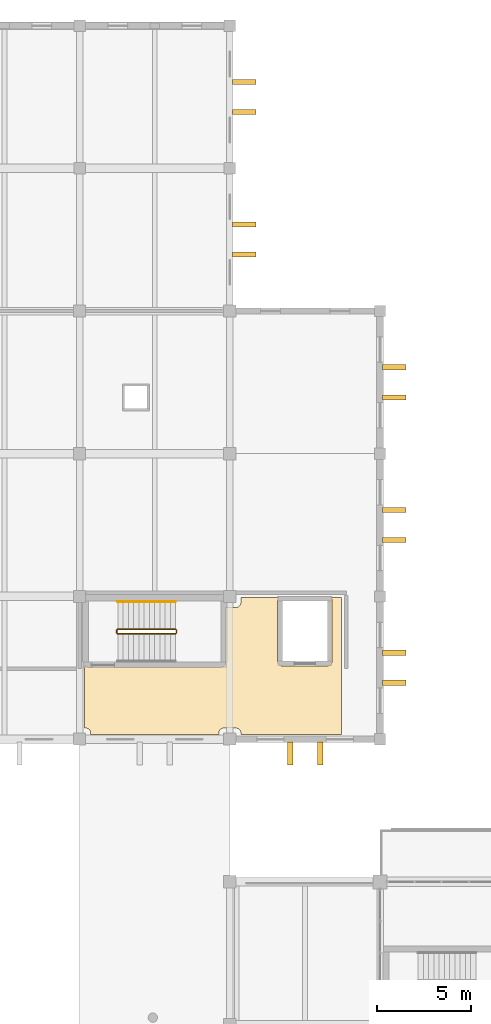
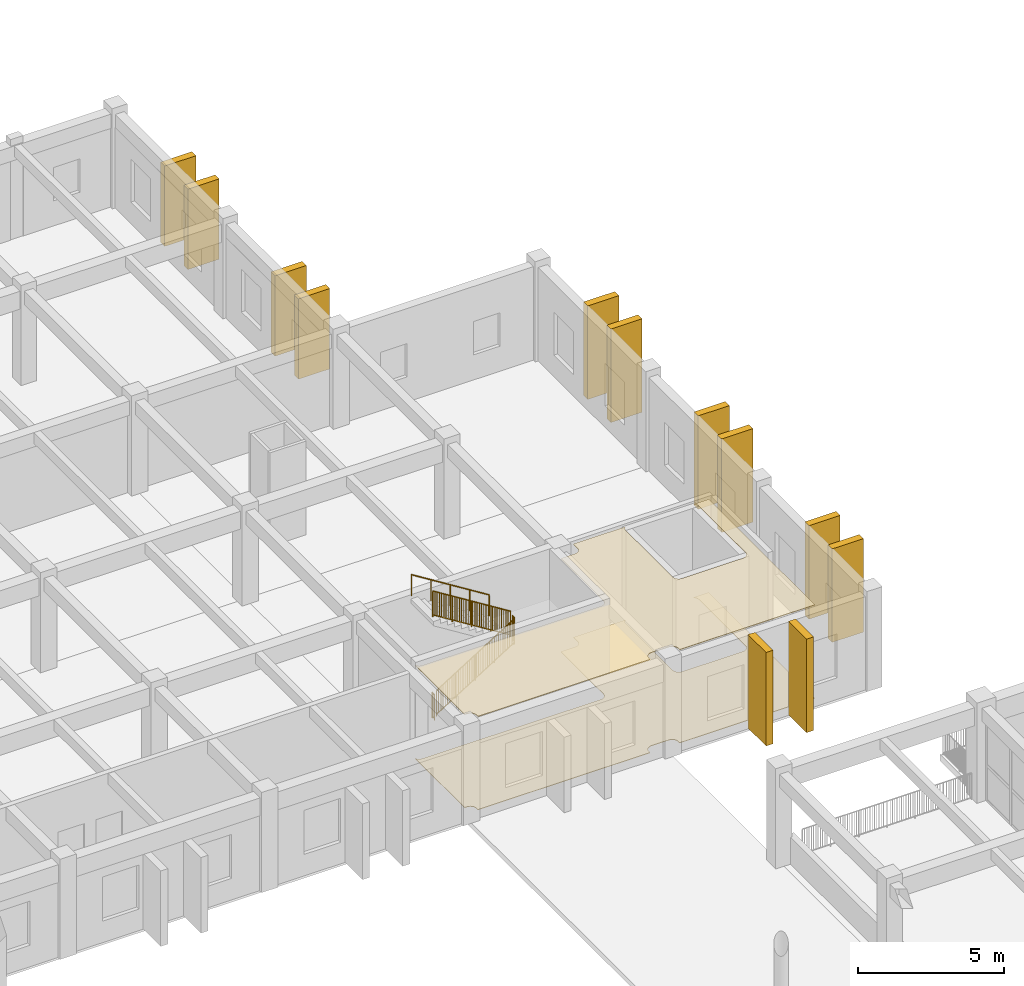
# One storey, part 62 of 63: 12 shading devices, 5 railings, 2 coverings.
"""IFC4 building model written with IfcOpenShell, lengths in metres."""

from ifc_helpers import new_model, si_unit, direction, frame, origin, origin_2d, place, context, subcontext, project, spatial, polyline, rectangle, circle, outline, extrude, material, layer, layer_set, type_object, element, save


model = new_model("IFC4")

# Units and contexts
model_context = context("Model", 3, precision=1e-05, world=origin(), true_north=direction((0.0, 1.0)))
body_context = subcontext(model_context, "Body", "Model", "MODEL_VIEW")
ifc_project = project(units=[si_unit("LENGTHUNIT", "METRE"), si_unit("AREAUNIT", "SQUARE_METRE"), si_unit("VOLUMEUNIT", "CUBIC_METRE"), si_unit("PLANEANGLEUNIT", "RADIAN"), si_unit("MASSUNIT", "GRAM", prefix="KILO")], contexts=[model_context])

# Site, building, storey
site_placement = place(None, origin())
site = spatial("IfcSite", under=ifc_project, at=site_placement, CompositionType="ELEMENT")
building_placement = place(site_placement, origin())
building = spatial("IfcBuilding", under=site, at=building_placement, Name="Zantavel Square City Hall", CompositionType="ELEMENT")
storey_placement = place(building_placement, frame((0.0, 0.0, 14.699951171875)))
storey = spatial("IfcBuildingStorey", under=building, at=storey_placement, Name="L04", CompositionType="ELEMENT", Elevation=14.699951171875)

# Railings
ifc_material_1 = material(Name="Steel ASTM A500 Grade B", Category="steel")
railing_type_1 = type_object("IfcRailingType", Name="Atrium & Gallery Steel Guard Railing 1100mm", PredefinedType="GUARDRAIL", material=ifc_material_1)
railing_1_placement = place(storey_placement, frame((50.030029296875, 81.610107421875, 0.175048828125)))
element("IfcRailing", 1, at=railing_1_placement, inside=storey, type_object=railing_type_1, Name="L04 ST1 stair guard 1", PredefinedType="GUARDRAIL", context=body_context, shape_type="SweptSolid", body=[
    extrude(circle(Radius=0.02392578125, at=origin_2d()), frame((0.0, 0.0, 1.076171875), z_axis=(0.847998304005, 0.0, 0.529998940003), x_axis=(0.0, 1.0, 0.0)), (0.0, 0.0, 1.0), 3.632080078125),
    extrude(rectangle(XDim=0.031982421875, YDim=0.031982421875, at=origin_2d()), frame((0.0, 0.0, 0.080078125), z_axis=(0.847998304005, 0.0, 0.529998940003), x_axis=(0.0, 1.0, 0.0)), (0.0, 0.0, 1.0), 3.632080078125),
    extrude(rectangle(XDim=0.02197265625, YDim=0.02197265625, at=origin_2d()), frame((0.087890625, 0.0, 0.135009765625)), (0.0, 0.0, 1.0), 0.971923828125),
    extrude(rectangle(XDim=0.02197265625, YDim=0.02197265625, at=origin_2d()), frame((0.176025390625, 0.0, 0.18994140625)), (0.0, 0.0, 1.0), 0.971923828125),
    extrude(rectangle(XDim=0.02197265625, YDim=0.02197265625, at=origin_2d()), frame((0.263916015625, 0.0, 0.2451171875)), (0.0, 0.0, 1.0), 0.971923828125),
    extrude(rectangle(XDim=0.02197265625, YDim=0.02197265625, at=origin_2d()), frame((0.35205078125, 0.0, 0.300048828125)), (0.0, 0.0, 1.0), 0.971923828125),
    extrude(rectangle(XDim=0.02197265625, YDim=0.02197265625, at=origin_2d()), frame((0.43994140625, 0.0, 0.35498046875)), (0.0, 0.0, 1.0), 0.971923828125),
    extrude(rectangle(XDim=0.02197265625, YDim=0.02197265625, at=origin_2d()), frame((0.528076171875, 0.0, 0.409912109375)), (0.0, 0.0, 1.0), 0.971923828125),
    extrude(rectangle(XDim=0.02197265625, YDim=0.02197265625, at=origin_2d()), frame((0.615966796875, 0.0, 0.465087890625)), (0.0, 0.0, 1.0), 0.971923828125),
    extrude(rectangle(XDim=0.02197265625, YDim=0.02197265625, at=origin_2d()), frame((0.7041015625, 0.0, 0.52001953125)), (0.0, 0.0, 1.0), 0.971923828125),
    extrude(rectangle(XDim=0.02197265625, YDim=0.02197265625, at=origin_2d()), frame((0.880126953125, 0.0, 0.630126953125)), (0.0, 0.0, 1.0), 0.971923828125),
    extrude(rectangle(XDim=0.02197265625, YDim=0.02197265625, at=origin_2d()), frame((0.968017578125, 0.0, 0.68505859375)), (0.0, 0.0, 1.0), 0.971923828125),
    extrude(rectangle(XDim=0.02197265625, YDim=0.02197265625, at=origin_2d()), frame((1.055908203125, 0.0, 0.739990234375)), (0.0, 0.0, 1.0), 0.971923828125),
    extrude(rectangle(XDim=0.02197265625, YDim=0.02197265625, at=origin_2d()), frame((1.14404296875, 0.0, 0.794921875)), (0.0, 0.0, 1.0), 0.971923828125),
    extrude(rectangle(XDim=0.02197265625, YDim=0.02197265625, at=origin_2d()), frame((1.23193359375, 0.0, 0.85009765625)), (0.0, 0.0, 1.0), 0.971923828125),
    extrude(rectangle(XDim=0.02197265625, YDim=0.02197265625, at=origin_2d()), frame((1.320068359375, 0.0, 0.905029296875)), (0.0, 0.0, 1.0), 0.971923828125),
    extrude(rectangle(XDim=0.02197265625, YDim=0.02197265625, at=origin_2d()), frame((1.407958984375, 0.0, 0.9599609375)), (0.0, 0.0, 1.0), 0.971923828125),
    extrude(rectangle(XDim=0.02197265625, YDim=0.02197265625, at=origin_2d()), frame((1.49609375, 0.0, 1.01513671875)), (0.0, 0.0, 1.0), 0.971923828125),
    extrude(rectangle(XDim=0.02197265625, YDim=0.02197265625, at=origin_2d()), frame((1.583984375, 0.0, 1.070068359375)), (0.0, 0.0, 1.0), 0.971923828125),
    extrude(rectangle(XDim=0.02197265625, YDim=0.02197265625, at=origin_2d()), frame((1.672119140625, 0.0, 1.125)), (0.0, 0.0, 1.0), 0.971923828125),
    extrude(rectangle(XDim=0.02197265625, YDim=0.02197265625, at=origin_2d()), frame((1.760009765625, 0.0, 1.179931640625)), (0.0, 0.0, 1.0), 0.971923828125),
    extrude(rectangle(XDim=0.02197265625, YDim=0.02197265625, at=origin_2d()), frame((1.84814453125, 0.0, 1.235107421875)), (0.0, 0.0, 1.0), 0.971923828125),
    extrude(rectangle(XDim=0.02197265625, YDim=0.02197265625, at=origin_2d()), frame((1.93603515625, 0.0, 1.2900390625)), (0.0, 0.0, 1.0), 0.971923828125),
    extrude(rectangle(XDim=0.02197265625, YDim=0.02197265625, at=origin_2d()), frame((2.024169921875, 0.0, 1.344970703125)), (0.0, 0.0, 1.0), 0.971923828125),
    extrude(rectangle(XDim=0.02197265625, YDim=0.02197265625, at=origin_2d()), frame((2.112060546875, 0.0, 1.400146484375)), (0.0, 0.0, 1.0), 0.971923828125),
    extrude(rectangle(XDim=0.02197265625, YDim=0.02197265625, at=origin_2d()), frame((2.199951171875, 0.0, 1.455078125)), (0.0, 0.0, 1.0), 0.971923828125),
    extrude(rectangle(XDim=0.02197265625, YDim=0.02197265625, at=origin_2d()), frame((2.3759765625, 0.0, 1.56494140625)), (0.0, 0.0, 1.0), 0.971923828125),
    extrude(rectangle(XDim=0.02197265625, YDim=0.02197265625, at=origin_2d()), frame((2.464111328125, 0.0, 1.6201171875)), (0.0, 0.0, 1.0), 0.971923828125),
    extrude(rectangle(XDim=0.02197265625, YDim=0.02197265625, at=origin_2d()), frame((2.552001953125, 0.0, 1.675048828125)), (0.0, 0.0, 1.0), 0.971923828125),
    extrude(rectangle(XDim=0.02197265625, YDim=0.02197265625, at=origin_2d()), frame((2.64013671875, 0.0, 1.72998046875)), (0.0, 0.0, 1.0), 0.971923828125),
    extrude(rectangle(XDim=0.02197265625, YDim=0.02197265625, at=origin_2d()), frame((2.72802734375, 0.0, 1.78515625)), (0.0, 0.0, 1.0), 0.971923828125),
    extrude(rectangle(XDim=0.02197265625, YDim=0.02197265625, at=origin_2d()), frame((2.816162109375, 0.0, 1.840087890625)), (0.0, 0.0, 1.0), 0.971923828125),
    extrude(rectangle(XDim=0.02197265625, YDim=0.02197265625, at=origin_2d()), frame((2.904052734375, 0.0, 1.89501953125)), (0.0, 0.0, 1.0), 0.971923828125),
    extrude(rectangle(XDim=0.02197265625, YDim=0.02197265625, at=origin_2d()), frame((2.9921875, 0.0, 1.949951171875)), (0.0, 0.0, 1.0), 0.971923828125),
    extrude(circle(Radius=0.02099609375, at=origin_2d()), origin(), (0.0, 0.0, 1.0), 1.052001953125),
    extrude(circle(Radius=0.02099609375, at=origin_2d()), frame((0.77001953125, 0.0, 0.481201171875)), (0.0, 0.0, 1.0), 1.052001953125),
    extrude(circle(Radius=0.02099609375, at=origin_2d()), frame((1.5400390625, 0.0, 0.96240234375)), (0.0, 0.0, 1.0), 1.052001953125),
    extrude(circle(Radius=0.02099609375, at=origin_2d()), frame((2.31005859375, 0.0, 1.44384765625)), (0.0, 0.0, 1.0), 1.052001953125),
    extrude(circle(Radius=0.02099609375, at=origin_2d()), frame((3.080078125, 0.0, 1.925048828125)), (0.0, 0.0, 1.0), 1.052001953125),
])
railing_2_placement = place(storey_placement, frame((53.159912109375, 81.659912109375, 2.10009765625)))
element("IfcRailing", 2, at=railing_2_placement, inside=storey, type_object=railing_type_1, Name="L04 ST1 stair guard 2", PredefinedType="GUARDRAIL", context=body_context, shape_type="SweptSolid", body=[
    extrude(circle(Radius=0.02392578125, at=origin_2d()), frame((0.0, 0.0, 1.076171875), z_axis=(0.0, 1.0, 0.0), x_axis=(-1.0, 0.0, 0.0)), (0.0, 0.0, 1.0), 0.150146484375),
    extrude(rectangle(XDim=0.031982421875, YDim=0.031982421875, at=origin_2d()), frame((0.0, 0.0, 0.080078125), z_axis=(0.0, 1.0, 0.0), x_axis=(-1.0, 0.0, 0.0)), (0.0, 0.0, 1.0), 0.150146484375),
    extrude(rectangle(XDim=0.02197265625, YDim=0.02197265625, at=origin_2d()), frame((0.0, 0.0751953125, 0.080078125)), (0.0, 0.0, 1.0), 0.971923828125),
    extrude(circle(Radius=0.02099609375, at=origin_2d()), origin(), (0.0, 0.0, 1.0), 1.052001953125),
    extrude(circle(Radius=0.02099609375, at=origin_2d()), frame((0.0, 0.150146484375, 0.0)), (0.0, 0.0, 1.0), 1.052001953125),
])
railing_3_placement = place(storey_placement, frame((53.110107421875, 81.860107421875, 2.275146484375)))
element("IfcRailing", 3, at=railing_3_placement, inside=storey, type_object=railing_type_1, Name="L04 ST1 stair guard 3", PredefinedType="GUARDRAIL", context=body_context, shape_type="SweptSolid", body=[
    extrude(circle(Radius=0.02392578125, at=origin_2d()), frame((0.0, 0.0, 1.076171875), z_axis=(-0.848028513186, 0.0, 0.529950602248), x_axis=(0.0, -1.0, 0.0)), (0.0, 0.0, 1.0), 3.632080078125),
    extrude(rectangle(XDim=0.031982421875, YDim=0.031982421875, at=origin_2d()), frame((0.0, 0.0, 0.080078125), z_axis=(-0.848028513186, 0.0, 0.529950602248), x_axis=(0.0, -1.0, 0.0)), (0.0, 0.0, 1.0), 3.632080078125),
    extrude(rectangle(XDim=0.02197265625, YDim=0.02197265625, at=origin_2d()), frame((-0.087890625, 0.0, 0.135009765625)), (0.0, 0.0, 1.0), 0.971923828125),
    extrude(rectangle(XDim=0.02197265625, YDim=0.02197265625, at=origin_2d()), frame((-0.176025390625, 0.0, 0.18994140625)), (0.0, 0.0, 1.0), 0.971923828125),
    extrude(rectangle(XDim=0.02197265625, YDim=0.02197265625, at=origin_2d()), frame((-0.263916015625, 0.0, 0.244873046875)), (0.0, 0.0, 1.0), 0.971923828125),
    extrude(rectangle(XDim=0.02197265625, YDim=0.02197265625, at=origin_2d()), frame((-0.35205078125, 0.0, 0.300048828125)), (0.0, 0.0, 1.0), 0.971923828125),
    extrude(rectangle(XDim=0.02197265625, YDim=0.02197265625, at=origin_2d()), frame((-0.43994140625, 0.0, 0.35498046875)), (0.0, 0.0, 1.0), 0.971923828125),
    extrude(rectangle(XDim=0.02197265625, YDim=0.02197265625, at=origin_2d()), frame((-0.528076171875, 0.0, 0.409912109375)), (0.0, 0.0, 1.0), 0.971923828125),
    extrude(rectangle(XDim=0.02197265625, YDim=0.02197265625, at=origin_2d()), frame((-0.615966796875, 0.0, 0.46484375)), (0.0, 0.0, 1.0), 0.971923828125),
    extrude(rectangle(XDim=0.02197265625, YDim=0.02197265625, at=origin_2d()), frame((-0.7041015625, 0.0, 0.52001953125)), (0.0, 0.0, 1.0), 0.971923828125),
    extrude(rectangle(XDim=0.02197265625, YDim=0.02197265625, at=origin_2d()), frame((-0.880126953125, 0.0, 0.6298828125)), (0.0, 0.0, 1.0), 0.971923828125),
    extrude(rectangle(XDim=0.02197265625, YDim=0.02197265625, at=origin_2d()), frame((-0.968017578125, 0.0, 0.68505859375)), (0.0, 0.0, 1.0), 0.971923828125),
    extrude(rectangle(XDim=0.02197265625, YDim=0.02197265625, at=origin_2d()), frame((-1.055908203125, 0.0, 0.739990234375)), (0.0, 0.0, 1.0), 0.971923828125),
    extrude(rectangle(XDim=0.02197265625, YDim=0.02197265625, at=origin_2d()), frame((-1.14404296875, 0.0, 0.794921875)), (0.0, 0.0, 1.0), 0.971923828125),
    extrude(rectangle(XDim=0.02197265625, YDim=0.02197265625, at=origin_2d()), frame((-1.23193359375, 0.0, 0.849853515625)), (0.0, 0.0, 1.0), 0.971923828125),
    extrude(rectangle(XDim=0.02197265625, YDim=0.02197265625, at=origin_2d()), frame((-1.320068359375, 0.0, 0.905029296875)), (0.0, 0.0, 1.0), 0.971923828125),
    extrude(rectangle(XDim=0.02197265625, YDim=0.02197265625, at=origin_2d()), frame((-1.407958984375, 0.0, 0.9599609375)), (0.0, 0.0, 1.0), 0.971923828125),
    extrude(rectangle(XDim=0.02197265625, YDim=0.02197265625, at=origin_2d()), frame((-1.49609375, 0.0, 1.014892578125)), (0.0, 0.0, 1.0), 0.971923828125),
    extrude(rectangle(XDim=0.02197265625, YDim=0.02197265625, at=origin_2d()), frame((-1.583984375, 0.0, 1.06982421875)), (0.0, 0.0, 1.0), 0.971923828125),
    extrude(rectangle(XDim=0.02197265625, YDim=0.02197265625, at=origin_2d()), frame((-1.672119140625, 0.0, 1.125)), (0.0, 0.0, 1.0), 0.971923828125),
    extrude(rectangle(XDim=0.02197265625, YDim=0.02197265625, at=origin_2d()), frame((-1.760009765625, 0.0, 1.179931640625)), (0.0, 0.0, 1.0), 0.971923828125),
    extrude(rectangle(XDim=0.02197265625, YDim=0.02197265625, at=origin_2d()), frame((-1.84814453125, 0.0, 1.23486328125)), (0.0, 0.0, 1.0), 0.971923828125),
    extrude(rectangle(XDim=0.02197265625, YDim=0.02197265625, at=origin_2d()), frame((-1.93603515625, 0.0, 1.289794921875)), (0.0, 0.0, 1.0), 0.971923828125),
    extrude(rectangle(XDim=0.02197265625, YDim=0.02197265625, at=origin_2d()), frame((-2.024169921875, 0.0, 1.344970703125)), (0.0, 0.0, 1.0), 0.971923828125),
    extrude(rectangle(XDim=0.02197265625, YDim=0.02197265625, at=origin_2d()), frame((-2.112060546875, 0.0, 1.39990234375)), (0.0, 0.0, 1.0), 0.971923828125),
    extrude(rectangle(XDim=0.02197265625, YDim=0.02197265625, at=origin_2d()), frame((-2.199951171875, 0.0, 1.454833984375)), (0.0, 0.0, 1.0), 0.971923828125),
    extrude(rectangle(XDim=0.02197265625, YDim=0.02197265625, at=origin_2d()), frame((-2.3759765625, 0.0, 1.56494140625)), (0.0, 0.0, 1.0), 0.971923828125),
    extrude(rectangle(XDim=0.02197265625, YDim=0.02197265625, at=origin_2d()), frame((-2.464111328125, 0.0, 1.619873046875)), (0.0, 0.0, 1.0), 0.971923828125),
    extrude(rectangle(XDim=0.02197265625, YDim=0.02197265625, at=origin_2d()), frame((-2.552001953125, 0.0, 1.6748046875)), (0.0, 0.0, 1.0), 0.971923828125),
    extrude(rectangle(XDim=0.02197265625, YDim=0.02197265625, at=origin_2d()), frame((-2.64013671875, 0.0, 1.729736328125)), (0.0, 0.0, 1.0), 0.971923828125),
    extrude(rectangle(XDim=0.02197265625, YDim=0.02197265625, at=origin_2d()), frame((-2.72802734375, 0.0, 1.784912109375)), (0.0, 0.0, 1.0), 0.971923828125),
    extrude(rectangle(XDim=0.02197265625, YDim=0.02197265625, at=origin_2d()), frame((-2.816162109375, 0.0, 1.83984375)), (0.0, 0.0, 1.0), 0.971923828125),
    extrude(rectangle(XDim=0.02197265625, YDim=0.02197265625, at=origin_2d()), frame((-2.904052734375, 0.0, 1.894775390625)), (0.0, 0.0, 1.0), 0.971923828125),
    extrude(rectangle(XDim=0.02197265625, YDim=0.02197265625, at=origin_2d()), frame((-2.9921875, 0.0, 1.94970703125)), (0.0, 0.0, 1.0), 0.971923828125),
    extrude(circle(Radius=0.02099609375, at=origin_2d()), origin(), (0.0, 0.0, 1.0), 1.052001953125),
    extrude(circle(Radius=0.02099609375, at=origin_2d()), frame((-0.77001953125, 0.0, 0.481201171875)), (0.0, 0.0, 1.0), 1.052001953125),
    extrude(circle(Radius=0.02099609375, at=origin_2d()), frame((-1.5400390625, 0.0, 0.96240234375)), (0.0, 0.0, 1.0), 1.052001953125),
    extrude(circle(Radius=0.02099609375, at=origin_2d()), frame((-2.31005859375, 0.0, 1.443603515625)), (0.0, 0.0, 1.0), 1.052001953125),
    extrude(circle(Radius=0.02099609375, at=origin_2d()), frame((-3.080078125, 0.0, 1.9248046875)), (0.0, 0.0, 1.0), 1.052001953125),
])
railing_4_placement = place(storey_placement, frame((49.97998046875, 81.659912109375, 0.0)))
element("IfcRailing", 4, at=railing_4_placement, inside=storey, type_object=railing_type_1, Name="L04 ST1 stair guard 4", PredefinedType="GUARDRAIL", context=body_context, shape_type="SweptSolid", body=[
    extrude(circle(Radius=0.02392578125, at=origin_2d()), frame((0.0, 0.0, 1.076171875), z_axis=(0.0, 1.0, 0.0), x_axis=(-1.0, 0.0, 0.0)), (0.0, 0.0, 1.0), 0.150146484375),
    extrude(rectangle(XDim=0.031982421875, YDim=0.031982421875, at=origin_2d()), frame((0.0, 0.0, 0.080078125), z_axis=(0.0, 1.0, 0.0), x_axis=(-1.0, 0.0, 0.0)), (0.0, 0.0, 1.0), 0.150146484375),
    extrude(rectangle(XDim=0.02197265625, YDim=0.02197265625, at=origin_2d()), frame((0.0, 0.0751953125, 0.080078125)), (0.0, 0.0, 1.0), 0.971923828125),
    extrude(circle(Radius=0.02099609375, at=origin_2d()), origin(), (0.0, 0.0, 1.0), 1.052001953125),
    extrude(circle(Radius=0.02099609375, at=origin_2d()), frame((0.0, 0.150146484375, 0.0)), (0.0, 0.0, 1.0), 1.052001953125),
])

# Shading devices
ifc_material_2 = material(Name="Cantera volcanic tuff stone", Category="masonry")
shading_device_type = type_object("IfcShadingDeviceType", Name="Cantera Vertical Solar Shading Pier 280x1240", PredefinedType="USERDEFINED", material=ifc_material_2)
for number, where, z_axis, x_axis, name in (
    (5, (56.760009765625, 111.0, 0.0), (0.0, 0.0, 1.0), (1.0, 0.0, 0.0), "L04 Cantera Solar Pier 041"),
    (6, (56.760009765625, 109.39990234375, 0.0), (0.0, 0.0, 1.0), (1.0, 0.0, 0.0), "L04 Cantera Solar Pier 042"),
    (7, (56.760009765625, 103.41259765625, 0.0), (0.0, 0.0, 1.0), (1.0, 0.0, 0.0), "L04 Cantera Solar Pier 043"),
    (8, (56.760009765625, 101.8125, 0.0), (0.0, 0.0, 1.0), (1.0, 0.0, 0.0), "L04 Cantera Solar Pier 044"),
):
    element("IfcShadingDevice", number, at=place(storey_placement, frame(where, z_axis=z_axis, x_axis=x_axis)), inside=storey, type_object=shading_device_type, Name=name, ObjectType="FIN", PredefinedType="USERDEFINED", context=body_context, shape_type="SweptSolid", body=[
        extrude(rectangle(XDim=1.239990234375, YDim=0.280029296875, at=origin_2d()), origin(), (0.0, 0.0, 1.0), 3.3701171875),
    ])
for number, where, z_axis, x_axis, name in (
    (9, (64.760009765625, 95.800048828125, 0.0), (0.0, 0.0, 1.0), (1.0, 0.0, 0.0), "L04 Cantera Solar Pier 045"),
    (10, (64.760009765625, 94.199951171875, 0.0), (0.0, 0.0, 1.0), (1.0, 0.0, 0.0), "L04 Cantera Solar Pier 046"),
    (11, (64.760009765625, 88.199951171875, 0.0), (0.0, 0.0, 1.0), (1.0, 0.0, 0.0), "L04 Cantera Solar Pier 047"),
    (12, (64.760009765625, 86.60009765625, 0.0), (0.0, 0.0, 1.0), (1.0, 0.0, 0.0), "L04 Cantera Solar Pier 048"),
    (13, (64.760009765625, 80.60009765625, 0.0), (0.0, 0.0, 1.0), (1.0, 0.0, 0.0), "L04 Cantera Solar Pier 049"),
    (14, (64.760009765625, 79.0, 0.0), (0.0, 0.0, 1.0), (1.0, 0.0, 0.0), "L04 Cantera Solar Pier 050"),
):
    element("IfcShadingDevice", number, at=place(storey_placement, frame(where, z_axis=z_axis, x_axis=x_axis)), inside=storey, type_object=shading_device_type, Name=name, ObjectType="FIN", PredefinedType="USERDEFINED", context=body_context, shape_type="SweptSolid", body=[
        extrude(rectangle(XDim=1.239990234375, YDim=0.280029296875, at=origin_2d()), origin(), (0.0, 0.0, 1.0), 3.919921875),
    ])
for number, where, z_axis, x_axis, name in (
    (15, (60.8125, 75.239990234375, 0.0), (0.0, 0.0, 1.0), (1.0, 0.0, 0.0), "L04 Cantera Solar Pier 051"),
    (16, (59.21240234375, 75.239990234375, 0.0), (0.0, 0.0, 1.0), (1.0, 0.0, 0.0), "L04 Cantera Solar Pier 052"),
):
    element("IfcShadingDevice", number, at=place(storey_placement, frame(where, z_axis=z_axis, x_axis=x_axis)), inside=storey, type_object=shading_device_type, Name=name, ObjectType="FIN", PredefinedType="USERDEFINED", context=body_context, shape_type="SweptSolid", body=[
        extrude(rectangle(XDim=0.280029296875, YDim=1.239990234375, at=origin_2d()), origin(), (0.0, 0.0, 1.0), 3.919921875),
    ])

# Coverings
ifc_material_3 = material(Name="Terrazzo stone finish", Category="masonry")
ifc_layer_1 = layer(ifc_material_3, 0.02001953125, Name="Terrazzo stone finish")
ifc_layer_set_1 = layer_set([ifc_layer_1], Name="Terrazzo stone finish")
covering_type_1 = type_object("IfcCoveringType", Name="Honed Cantera-Terrazzo Civic Flooring 20mm", PredefinedType="FLOORING", material=ifc_layer_set_1)
covering_1_placement = place(storey_placement, origin())
element("IfcCovering", 17, at=covering_1_placement, inside=storey, type_object=covering_type_1, Name="L04 L04 North-West Lift Lobby Terrazzo Flooring", PredefinedType="FLOORING", context=body_context, shape_type="SweptSolid", body=[
    extrude(outline(polyline([(48.276611328125, 79.94140625), (48.293212890625, 79.923095703125), (48.311279296875, 79.90673828125), (48.3310546875, 79.89208984375), (48.352294921875, 79.87939453125), (48.374267578125, 79.868896484375), (48.3974609375, 79.86083984375), (48.421142578125, 79.854736328125), (48.445556640625, 79.851318359375), (48.469970703125, 79.85009765625), (55.530029296875, 79.85009765625), (55.554443359375, 79.851318359375), (55.578857421875, 79.854736328125), (55.6025390625, 79.86083984375), (55.625732421875, 79.868896484375), (55.647705078125, 79.87939453125), (55.6689453125, 79.89208984375), (55.688720703125, 79.90673828125), (55.706787109375, 79.923095703125), (55.723388671875, 79.94140625), (55.73779296875, 79.961181640625), (55.75048828125, 79.982177734375), (55.760986328125, 80.00439453125), (55.769287109375, 80.02734375), (55.775146484375, 80.05126953125), (55.77880859375, 80.075439453125), (55.780029296875, 80.10009765625), (55.780029296875, 83.014892578125), (56.3349609375, 83.014892578125), (56.359619140625, 83.01611328125), (56.3837890625, 83.019775390625), (56.40771484375, 83.02587890625), (56.4306640625, 83.033935546875), (56.452880859375, 83.04443359375), (56.473876953125, 83.05712890625), (56.49365234375, 83.07177734375), (56.51171875, 83.088134765625), (56.5283203125, 83.1064453125), (56.54296875, 83.126220703125), (56.555419921875, 83.147216796875), (56.56591796875, 83.169189453125), (56.57421875, 83.1923828125), (56.580078125, 83.21630859375), (56.583740234375, 83.240478515625), (56.5849609375, 83.264892578125), (56.5849609375, 83.550048828125), (58.650390625, 83.550048828125), (58.641357421875, 83.543212890625), (58.623291015625, 83.52685546875), (58.606689453125, 83.508544921875), (58.592041015625, 83.489013671875), (58.57958984375, 83.4677734375), (58.569091796875, 83.44580078125), (58.560791015625, 83.422607421875), (58.5546875, 83.398681640625), (58.55126953125, 83.37451171875), (58.550048828125, 83.35009765625), (58.550048828125, 80.14990234375), (58.55126953125, 80.12548828125), (58.5546875, 80.101318359375), (58.560791015625, 80.077392578125), (58.569091796875, 80.05419921875), (58.57958984375, 80.0322265625), (58.592041015625, 80.010986328125), (58.606689453125, 79.991455078125), (58.623291015625, 79.97314453125), (58.641357421875, 79.956787109375), (58.6611328125, 79.942138671875), (58.68212890625, 79.929443359375), (58.704345703125, 79.9189453125), (58.727294921875, 79.910888671875), (58.751220703125, 79.90478515625), (58.775390625, 79.901123046875), (58.800048828125, 79.89990234375), (61.199951171875, 79.89990234375), (61.224609375, 79.901123046875), (61.248779296875, 79.90478515625), (61.272705078125, 79.910888671875), (61.295654296875, 79.9189453125), (61.31787109375, 79.929443359375), (61.3388671875, 79.942138671875), (61.358642578125, 79.956787109375), (61.376708984375, 79.97314453125), (61.393310546875, 79.991455078125), (61.407958984375, 80.010986328125), (61.42041015625, 80.0322265625), (61.430908203125, 80.05419921875), (61.439208984375, 80.077392578125), (61.4453125, 80.101318359375), (61.44873046875, 80.12548828125), (61.449951171875, 80.14990234375), (61.449951171875, 83.35009765625), (61.44873046875, 83.37451171875), (61.4453125, 83.398681640625), (61.439208984375, 83.422607421875), (61.430908203125, 83.44580078125), (61.42041015625, 83.4677734375), (61.407958984375, 83.489013671875), (61.393310546875, 83.508544921875), (61.376708984375, 83.52685546875), (61.358642578125, 83.543212890625), (61.349609375, 83.550048828125), (61.949951171875, 83.550048828125), (61.949951171875, 76.25), (56.5849609375, 76.25), (56.5849609375, 76.3349609375), (56.583740234375, 76.359619140625), (56.580078125, 76.3837890625), (56.57421875, 76.40771484375), (56.56591796875, 76.4306640625), (56.555419921875, 76.452880859375), (56.54296875, 76.473876953125), (56.5283203125, 76.49365234375), (56.51171875, 76.51171875), (56.49365234375, 76.5283203125), (56.473876953125, 76.54296875), (56.452880859375, 76.555419921875), (56.4306640625, 76.56591796875), (56.40771484375, 76.57421875), (56.3837890625, 76.580078125), (56.359619140625, 76.583740234375), (56.3349609375, 76.5849609375), (55.6650390625, 76.5849609375), (55.640380859375, 76.583740234375), (55.6162109375, 76.580078125), (55.59228515625, 76.57421875), (55.5693359375, 76.56591796875), (55.547119140625, 76.555419921875), (55.526123046875, 76.54296875), (55.50634765625, 76.5283203125), (55.48828125, 76.51171875), (55.4716796875, 76.49365234375), (55.45703125, 76.473876953125), (55.444580078125, 76.452880859375), (55.43408203125, 76.4306640625), (55.42578125, 76.40771484375), (55.419921875, 76.3837890625), (55.416259765625, 76.359619140625), (55.4150390625, 76.3349609375), (55.4150390625, 76.25), (48.5849609375, 76.25), (48.5849609375, 76.3349609375), (48.583740234375, 76.359619140625), (48.580078125, 76.3837890625), (48.57421875, 76.40771484375), (48.56591796875, 76.4306640625), (48.555419921875, 76.452880859375), (48.54296875, 76.473876953125), (48.5283203125, 76.49365234375), (48.51171875, 76.51171875), (48.49365234375, 76.5283203125), (48.473876953125, 76.54296875), (48.452880859375, 76.555419921875), (48.4306640625, 76.56591796875), (48.40771484375, 76.57421875), (48.3837890625, 76.580078125), (48.359619140625, 76.583740234375), (48.3349609375, 76.5849609375), (48.25, 76.5849609375), (48.25, 79.981201171875), (48.26220703125, 79.961181640625), (48.276611328125, 79.94140625)])), origin(), (0.0, 0.0, 1.0), 0.02001953125),
])
ifc_material_4 = material(Name="Gypsum acoustic stud assembly", Category="masonry")
ifc_layer_2 = layer(ifc_material_4, 0.02490234375, Name="Gypsum acoustic stud assembly")
ifc_layer_set_2 = layer_set([ifc_layer_2], Name="Gypsum acoustic stud assembly")
covering_type_2 = type_object("IfcCoveringType", Name="Perforated Gypsum Acoustic Ceiling 25mm", PredefinedType="CEILING", material=ifc_layer_set_2)
covering_2_placement = place(storey_placement, frame((0.0, 0.0, 3.905029296875)))
element("IfcCovering", 18, at=covering_2_placement, inside=storey, type_object=covering_type_2, Name="L04 L04 North-West Lift Lobby Acoustic Ceiling", PredefinedType="CEILING", context=body_context, shape_type="SweptSolid", body=[
    extrude(outline(polyline([(48.276611328125, 79.94140625), (48.293212890625, 79.923095703125), (48.311279296875, 79.90673828125), (48.3310546875, 79.89208984375), (48.352294921875, 79.87939453125), (48.374267578125, 79.868896484375), (48.3974609375, 79.86083984375), (48.421142578125, 79.854736328125), (48.445556640625, 79.851318359375), (48.469970703125, 79.85009765625), (55.530029296875, 79.85009765625), (55.554443359375, 79.851318359375), (55.578857421875, 79.854736328125), (55.6025390625, 79.86083984375), (55.625732421875, 79.868896484375), (55.647705078125, 79.87939453125), (55.6689453125, 79.89208984375), (55.688720703125, 79.90673828125), (55.706787109375, 79.923095703125), (55.723388671875, 79.94140625), (55.73779296875, 79.961181640625), (55.75048828125, 79.982177734375), (55.760986328125, 80.00439453125), (55.769287109375, 80.02734375), (55.775146484375, 80.05126953125), (55.77880859375, 80.075439453125), (55.780029296875, 80.10009765625), (55.780029296875, 83.014892578125), (56.3349609375, 83.014892578125), (56.359619140625, 83.01611328125), (56.3837890625, 83.019775390625), (56.40771484375, 83.02587890625), (56.4306640625, 83.033935546875), (56.452880859375, 83.04443359375), (56.473876953125, 83.05712890625), (56.49365234375, 83.07177734375), (56.51171875, 83.088134765625), (56.5283203125, 83.1064453125), (56.54296875, 83.126220703125), (56.555419921875, 83.147216796875), (56.56591796875, 83.169189453125), (56.57421875, 83.1923828125), (56.580078125, 83.21630859375), (56.583740234375, 83.240478515625), (56.5849609375, 83.264892578125), (56.5849609375, 83.550048828125), (58.650390625, 83.550048828125), (58.641357421875, 83.543212890625), (58.623291015625, 83.52685546875), (58.606689453125, 83.508544921875), (58.592041015625, 83.489013671875), (58.57958984375, 83.4677734375), (58.569091796875, 83.44580078125), (58.560791015625, 83.422607421875), (58.5546875, 83.398681640625), (58.55126953125, 83.37451171875), (58.550048828125, 83.35009765625), (58.550048828125, 80.14990234375), (58.55126953125, 80.12548828125), (58.5546875, 80.101318359375), (58.560791015625, 80.077392578125), (58.569091796875, 80.05419921875), (58.57958984375, 80.0322265625), (58.592041015625, 80.010986328125), (58.606689453125, 79.991455078125), (58.623291015625, 79.97314453125), (58.641357421875, 79.956787109375), (58.6611328125, 79.942138671875), (58.68212890625, 79.929443359375), (58.704345703125, 79.9189453125), (58.727294921875, 79.910888671875), (58.751220703125, 79.90478515625), (58.775390625, 79.901123046875), (58.800048828125, 79.89990234375), (61.199951171875, 79.89990234375), (61.224609375, 79.901123046875), (61.248779296875, 79.90478515625), (61.272705078125, 79.910888671875), (61.295654296875, 79.9189453125), (61.31787109375, 79.929443359375), (61.3388671875, 79.942138671875), (61.358642578125, 79.956787109375), (61.376708984375, 79.97314453125), (61.393310546875, 79.991455078125), (61.407958984375, 80.010986328125), (61.42041015625, 80.0322265625), (61.430908203125, 80.05419921875), (61.439208984375, 80.077392578125), (61.4453125, 80.101318359375), (61.44873046875, 80.12548828125), (61.449951171875, 80.14990234375), (61.449951171875, 83.35009765625), (61.44873046875, 83.37451171875), (61.4453125, 83.398681640625), (61.439208984375, 83.422607421875), (61.430908203125, 83.44580078125), (61.42041015625, 83.4677734375), (61.407958984375, 83.489013671875), (61.393310546875, 83.508544921875), (61.376708984375, 83.52685546875), (61.358642578125, 83.543212890625), (61.349609375, 83.550048828125), (61.949951171875, 83.550048828125), (61.949951171875, 76.25), (56.5849609375, 76.25), (56.5849609375, 76.3349609375), (56.583740234375, 76.359619140625), (56.580078125, 76.3837890625), (56.57421875, 76.40771484375), (56.56591796875, 76.4306640625), (56.555419921875, 76.452880859375), (56.54296875, 76.473876953125), (56.5283203125, 76.49365234375), (56.51171875, 76.51171875), (56.49365234375, 76.5283203125), (56.473876953125, 76.54296875), (56.452880859375, 76.555419921875), (56.4306640625, 76.56591796875), (56.40771484375, 76.57421875), (56.3837890625, 76.580078125), (56.359619140625, 76.583740234375), (56.3349609375, 76.5849609375), (55.6650390625, 76.5849609375), (55.640380859375, 76.583740234375), (55.6162109375, 76.580078125), (55.59228515625, 76.57421875), (55.5693359375, 76.56591796875), (55.547119140625, 76.555419921875), (55.526123046875, 76.54296875), (55.50634765625, 76.5283203125), (55.48828125, 76.51171875), (55.4716796875, 76.49365234375), (55.45703125, 76.473876953125), (55.444580078125, 76.452880859375), (55.43408203125, 76.4306640625), (55.42578125, 76.40771484375), (55.419921875, 76.3837890625), (55.416259765625, 76.359619140625), (55.4150390625, 76.3349609375), (55.4150390625, 76.25), (48.5849609375, 76.25), (48.5849609375, 76.3349609375), (48.583740234375, 76.359619140625), (48.580078125, 76.3837890625), (48.57421875, 76.40771484375), (48.56591796875, 76.4306640625), (48.555419921875, 76.452880859375), (48.54296875, 76.473876953125), (48.5283203125, 76.49365234375), (48.51171875, 76.51171875), (48.49365234375, 76.5283203125), (48.473876953125, 76.54296875), (48.452880859375, 76.555419921875), (48.4306640625, 76.56591796875), (48.40771484375, 76.57421875), (48.3837890625, 76.580078125), (48.359619140625, 76.583740234375), (48.3349609375, 76.5849609375), (48.25, 76.5849609375), (48.25, 79.981201171875), (48.26220703125, 79.961181640625), (48.276611328125, 79.94140625)])), origin(), (0.0, 0.0, 1.0), 0.02490234375),
])

# Railing
ifc_material_5 = material(Name="Stainless steel 316", Category="steel")
railing_type_2 = type_object("IfcRailingType", Name="Stair Stainless Steel Handrail 900mm", PredefinedType="HANDRAIL", material=ifc_material_5)
railing_5_placement = place(storey_placement, frame((53.110107421875, 83.320068359375, 2.275146484375)))
element("IfcRailing", 19, at=railing_5_placement, inside=storey, type_object=railing_type_2, Name="L04 ST1 stair handrail 2", PredefinedType="HANDRAIL", context=body_context, shape_type="SweptSolid", body=[
    extrude(circle(Radius=0.02392578125, at=origin_2d()), frame((0.0, 0.0, 0.8759765625), z_axis=(-0.848028513186, 0.0, 0.529950602248), x_axis=(0.0, -1.0, 0.0)), (0.0, 0.0, 1.0), 3.632080078125),
    extrude(circle(Radius=0.02099609375, at=origin_2d()), origin(), (0.0, 0.0, 1.0), 0.851806640625),
    extrude(circle(Radius=0.02099609375, at=origin_2d()), frame((-0.77001953125, 0.0, 0.481201171875)), (0.0, 0.0, 1.0), 0.851806640625),
    extrude(circle(Radius=0.02099609375, at=origin_2d()), frame((-1.5400390625, 0.0, 0.96240234375)), (0.0, 0.0, 1.0), 0.851806640625),
    extrude(circle(Radius=0.02099609375, at=origin_2d()), frame((-2.31005859375, 0.0, 1.443603515625)), (0.0, 0.0, 1.0), 0.851806640625),
    extrude(circle(Radius=0.02099609375, at=origin_2d()), frame((-3.080078125, 0.0, 1.9248046875)), (0.0, 0.0, 1.0), 0.851806640625),
])

save(model, "model.ifc")
